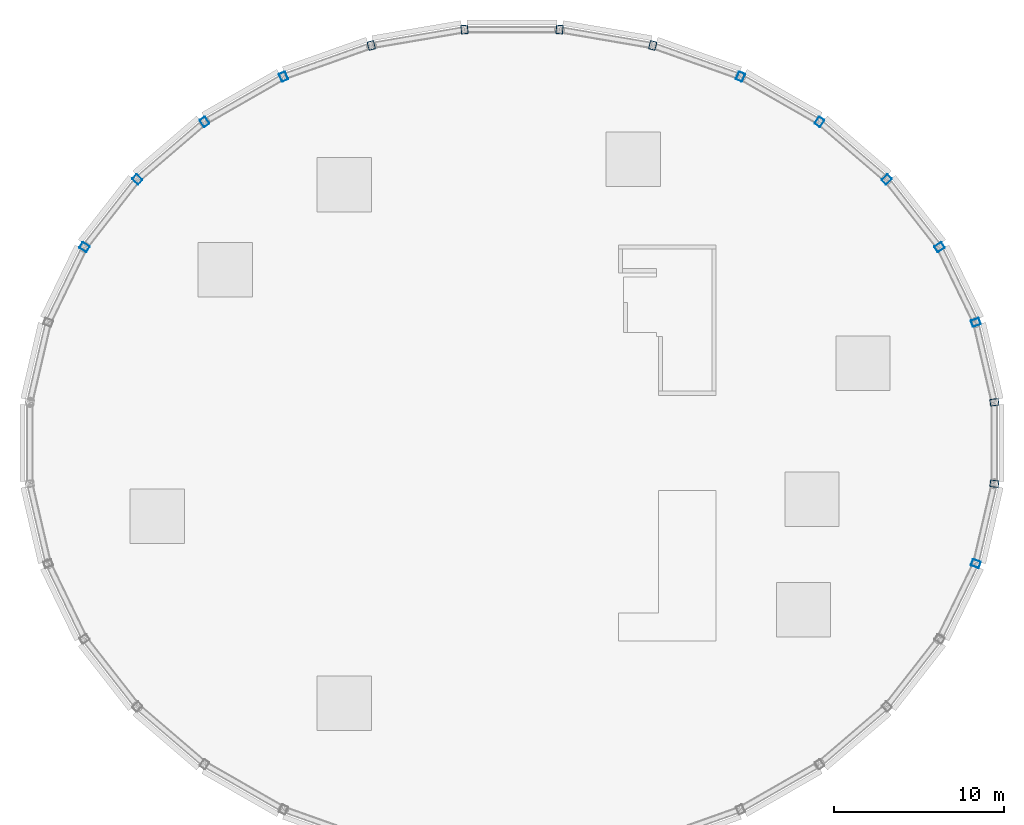
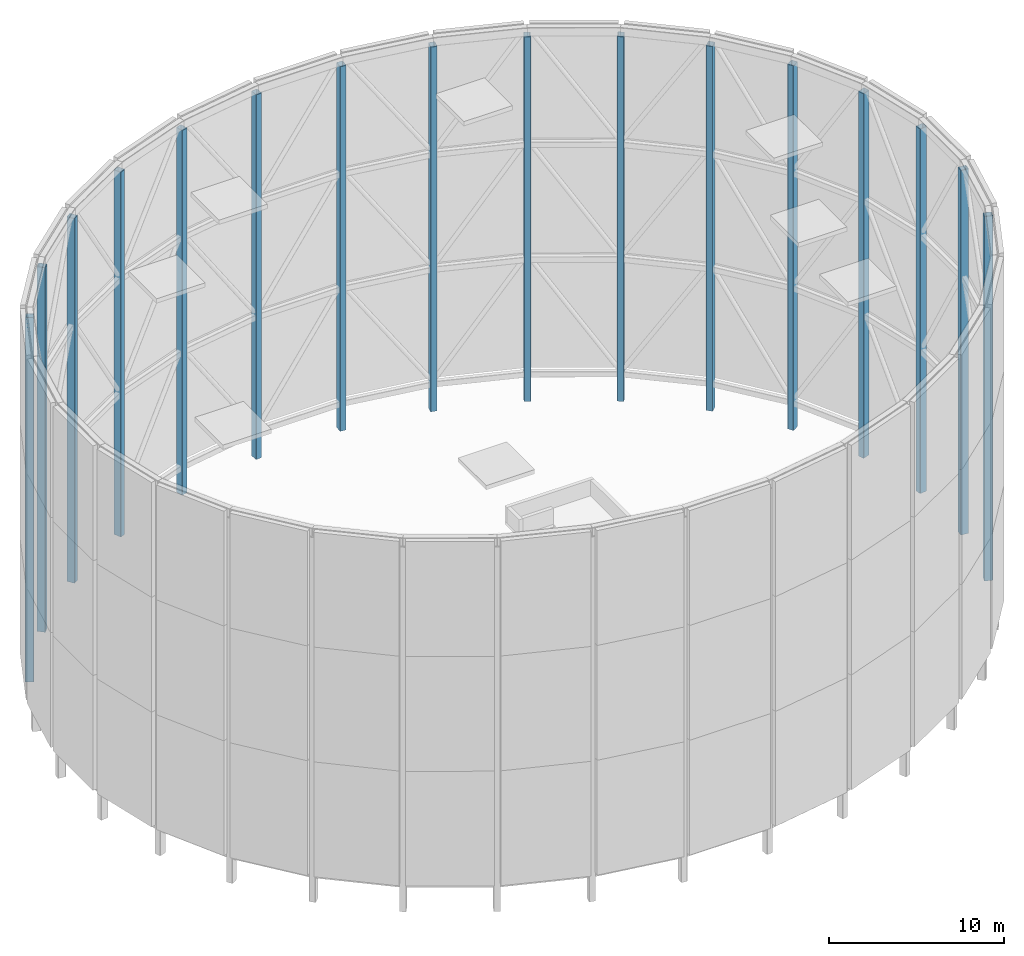
# One storey, part 2 of 8: 16 columns.
"""IFC4 building model written with IfcOpenShell, lengths in metres."""

import ifcopenshell
import ifcopenshell.guid

model = None  # the IFC model being written
_history = None  # IfcOwnerHistory: only IFC2X3 demands one
_inside = {}  # id of a spatial element -> (the spatial element, [elements in it])
_under = {}  # id of a project, library or spatial element -> (it, [spatial elements below it])
_declared = {}  # id of a project -> (the project, [libraries it declares])
_typed = {}  # id of a type object -> (the type object, [elements of that type])
_made_of = {}  # id of a material, layer set ... -> (it, [elements and type objects made of it])


def new_model(schema):
    """Start an empty IFC model of exactly this schema.

    Asked for "IFC4X3", IfcOpenShell would pick the latest addendum, in which some entities
    have other attributes; the version numbers below select the first issue.
    IFC2X3 requires an IfcOwnerHistory on every rooted entity: one is made here for all.
    """
    global model, _history
    if schema == "IFC4X3":
        model = ifcopenshell.file(schema_version=(4, 3, 0, 0))
    else:
        model = ifcopenshell.file(schema=schema)
    _inside.clear()
    _under.clear()
    _declared.clear()
    _typed.clear()
    _made_of.clear()
    _history = None
    if model.schema == "IFC2X3":
        org = make("IfcOrganization", Name="unknown")
        user = make(
            "IfcPersonAndOrganization",
            ThePerson=make("IfcPerson", FamilyName="unknown"),
            TheOrganization=org,
        )
        app = make(
            "IfcApplication",
            ApplicationDeveloper=org,
            Version="unknown",
            ApplicationFullName="unknown",
            ApplicationIdentifier="unknown",
        )
        _history = make(
            "IfcOwnerHistory",
            OwningUser=user,
            OwningApplication=app,
            ChangeAction="ADDED",
            CreationDate=0,
        )
    return model


def make(cls, **values):
    """One entity of the class cls with the attributes given. An attribute that is None is left unset."""
    return model.create_entity(
        cls, **{name: value for name, value in values.items() if value is not None}
    )


def rooted(cls, **values):
    """An entity with a GlobalId (a new one), such as an element, a storey or a relation."""
    return make(cls, GlobalId=ifcopenshell.guid.new(), OwnerHistory=_history, **values)


def si_unit(unit_type, name, prefix=None):
    """IfcSIUnit, for example si_unit("LENGTHUNIT", "METRE", prefix="MILLI")."""
    return make("IfcSIUnit", UnitType=unit_type, Prefix=prefix, Name=name)


def assignment(units):
    """IfcUnitAssignment: the units of a project."""
    return None if units is None else make("IfcUnitAssignment", Units=units)


def point(xyz):
    """IfcCartesianPoint."""
    return None if xyz is None else make("IfcCartesianPoint", Coordinates=xyz)


def direction(xyz):
    """IfcDirection."""
    return None if xyz is None else make("IfcDirection", DirectionRatios=xyz)


def frame(location, z_axis=None, x_axis=None):
    """IfcAxis2Placement3D, a coordinate frame: its origin and axes. An axis left out is left unset."""
    return make(
        "IfcAxis2Placement3D",
        Location=point(location),
        Axis=direction(z_axis),
        RefDirection=direction(x_axis),
    )


def frame_2d(location, x_axis=None):
    """IfcAxis2Placement2D, a coordinate frame in the plane: its origin and x axis."""
    return make(
        "IfcAxis2Placement2D", Location=point(location), RefDirection=direction(x_axis)
    )


def origin():
    """The frame at (0, 0, 0) with its axes left unset."""
    return frame((0.0, 0.0, 0.0))


def origin_2d():
    """The frame at (0, 0) in the plane with its x axis left unset."""
    return frame_2d((0.0, 0.0))


def place(relative_to, where):
    """IfcLocalPlacement: puts the frame where relative to a parent placement (None: the world)."""
    return make(
        "IfcLocalPlacement", PlacementRelTo=relative_to, RelativePlacement=where
    )


def context(
    kind, dimensions, precision=None, world=None, true_north=None, identifier=None
):
    """IfcGeometricRepresentationContext, for example the 3D "Model" context."""
    return make(
        "IfcGeometricRepresentationContext",
        ContextIdentifier=identifier,
        ContextType=kind,
        CoordinateSpaceDimension=dimensions,
        Precision=precision,
        WorldCoordinateSystem=world,
        TrueNorth=true_north,
    )


def subcontext(parent, identifier, kind, view, scale=None):
    """IfcGeometricRepresentationSubContext, for example "Body" below "Model"."""
    return make(
        "IfcGeometricRepresentationSubContext",
        ContextIdentifier=identifier,
        ContextType=kind,
        ParentContext=parent,
        TargetScale=scale,
        TargetView=view,
    )


def project(units=None, contexts=None):
    """IfcProject with its units and contexts."""
    return rooted(
        "IfcProject",
        Name="project",
        RepresentationContexts=contexts,
        UnitsInContext=assignment(units),
    )


def spatial(cls, under=None, at=None, **own):
    """A site, building, storey or space (cls), placed at a placement, below another one or the project."""
    s = rooted(cls, ObjectPlacement=at, **own)
    if under is not None:
        _under.setdefault(under.id(), (under, []))[1].append(s)
    return s


def profile(cls, at=None, kind="AREA", **sizes):
    """A parametric profile (cls). Its sizes go by their IFC names, for example OverallWidth=200.0."""
    return make(cls, ProfileType=kind, Position=at, **sizes)


def hollow_rectangle(**sizes):
    """IfcRectangleHollowProfileDef."""
    return profile("IfcRectangleHollowProfileDef", **sizes)


def extrude(swept, where, along, depth):
    """IfcExtrudedAreaSolid: the profile swept, set in the frame where, extruded along a direction by depth."""
    return make(
        "IfcExtrudedAreaSolid",
        SweptArea=swept,
        Position=where,
        ExtrudedDirection=direction(along),
        Depth=depth,
    )


def shape(context_of_items, identifier, shape_type, items):
    """IfcShapeRepresentation: the items that make up one representation, for example the "Body"."""
    return make(
        "IfcShapeRepresentation",
        ContextOfItems=context_of_items,
        RepresentationIdentifier=identifier,
        RepresentationType=shape_type,
        Items=items,
    )


def material(Name=None, Category=None):
    """IfcMaterial."""
    return make("IfcMaterial", Name=Name, Category=Category)


def material_profile(
    of_material, cross_section, Name=None, Category=None, Priority=None
):
    """IfcMaterialProfile: a cross section and its material."""
    return make(
        "IfcMaterialProfile",
        Name=Name,
        Material=of_material,
        Profile=cross_section,
        Priority=Priority,
        Category=Category,
    )


def profile_set(profiles, Name=None, composite=None):
    """IfcMaterialProfileSet."""
    return make(
        "IfcMaterialProfileSet",
        Name=Name,
        MaterialProfiles=profiles,
        CompositeProfile=composite,
    )


def made_of(thing, what):
    """Note that an element or type object is made of a material, layer set ...; save() writes the relation."""
    if what is not None:
        _made_of.setdefault(what.id(), (what, []))[1].append(thing)
    return thing


def type_object(cls, material=None, **own):
    """A type object (cls), such as IfcWallType, which elements share."""
    return made_of(rooted(cls, **own), material)


def element(
    cls,
    number,
    at=None,
    inside=None,
    cuts=None,
    type_object=None,
    material=None,
    context=None,
    identifier="Body",
    shape_type=None,
    held_by="IfcProductDefinitionShape",
    body=None,
    shapes=None,
    **own,
):
    """One element of the class cls, such as IfcWall. Its Tag is "e" and its number.

    at: its placement. inside: the storey or other place that contains it. cuts: it is an
    opening in that element (IfcRelVoidsElement). A single representation is given by context,
    identifier, shape_type and body (its items); several are given by shapes. held_by: the class
    of the entity that holds the representations. save() writes the other relations.
    """
    e = rooted(cls, Tag="e%d" % number, ObjectPlacement=at, **own)
    if body is not None:
        shapes = [shape(context, identifier, shape_type, body)]
    if shapes is not None:
        e.Representation = make(held_by, Representations=shapes)
    if inside is not None:
        _inside.setdefault(inside.id(), (inside, []))[1].append(e)
    if cuts is not None:
        rooted(
            "IfcRelVoidsElement", RelatingBuildingElement=cuts, RelatedOpeningElement=e
        )
    if type_object is not None:
        _typed.setdefault(type_object.id(), (type_object, []))[1].append(e)
    return made_of(e, material)


def aggregate(whole, parts):
    """IfcRelAggregates: a whole, such as a stair, and the parts it consists of."""
    return rooted("IfcRelAggregates", RelatingObject=whole, RelatedObjects=parts)


def save(model, path):
    """Write the relations noted so far, then the file.

    IfcRelAggregates (storeys below a building ...), IfcRelContainedInSpatialStructure (elements
    in a storey), IfcRelDefinesByType, IfcRelAssociatesMaterial and IfcRelDeclares: one each for
    every whole, place, type object, material and project.
    """
    for whole, parts in _under.values():
        aggregate(whole, parts)
    for where, things in _inside.values():
        rooted(
            "IfcRelContainedInSpatialStructure",
            RelatedElements=things,
            RelatingStructure=where,
        )
    for kind, things in _typed.values():
        rooted("IfcRelDefinesByType", RelatedObjects=things, RelatingType=kind)
    for what, things in _made_of.values():
        rooted("IfcRelAssociatesMaterial", RelatedObjects=things, RelatingMaterial=what)
    for by, libraries in _declared.values():
        rooted("IfcRelDeclares", RelatingContext=by, RelatedDefinitions=libraries)
    model.write(path)


model = new_model("IFC4")

# Units and contexts
model_context = context("Model", 3, precision=1e-05, world=origin(), true_north=direction((0.0, 1.0)))
body_context = subcontext(model_context, "Body", "Model", "MODEL_VIEW")
ifc_project = project(units=[si_unit("LENGTHUNIT", "METRE"), si_unit("AREAUNIT", "SQUARE_METRE"), si_unit("VOLUMEUNIT", "CUBIC_METRE"), si_unit("PLANEANGLEUNIT", "RADIAN"), si_unit("MASSUNIT", "GRAM", prefix="KILO")], contexts=[model_context])

# Site, building, storey
site_placement = place(None, origin())
site = spatial("IfcSite", under=ifc_project, at=site_placement, CompositionType="ELEMENT")
building_placement = place(site_placement, origin())
building = spatial("IfcBuilding", under=site, at=building_placement, Name="Halqa Exchange Tower", CompositionType="ELEMENT")
storey_placement = place(building_placement, frame((0.0, 0.0, 355.300048828125)))
storey = spatial("IfcBuildingStorey", under=building, at=storey_placement, Name="Roof level crown frame", CompositionType="ELEMENT", Elevation=355.300048828125)

# Columns
ifc_material = material(Name="Steel S355", Category="steel")
ifc_material_profile = material_profile(ifc_material, hollow_rectangle(XDim=0.39990234375, YDim=0.5, WallThickness=0.02001953125, InnerFilletRadius=0.030029296875, OuterFilletRadius=0.0400390625, at=origin_2d()), Name="RHS 500x400x20")
ifc_profile_set = profile_set([ifc_material_profile], Name="Steel S355")
column_type = type_object("IfcColumnType", Name="CROWN FRAME column RHS 500x400x20", PredefinedType="COLUMN", material=ifc_profile_set)
for number, where, z_axis, x_axis, name in (
    (1, (28.36279296875, 2.394287109375, 0.0), (0.0, 0.0, 1.0), (-0.114160389816, 0.993462332148, 0.0), "Crown frame column 1"),
    (2, (27.272705078125, 7.09130859375, 0.0), (0.0, 0.0, 1.0), (-0.333624233576, 0.942706142321, 0.0), "Crown frame column 2"),
    (3, (25.134765625, 11.515625, 0.0), (0.0, 0.0, 1.0), (-0.529140496257, 0.848534227489, 0.0), "Crown frame column 3"),
    (4, (22.03076171875, 15.497314453125, 0.0), (0.0, 0.0, 1.0), (-0.691578612608, 0.722301199351, 0.0), "Crown frame column 4"),
    (5, (18.080078125, 18.883544921875, 0.0), (0.0, 0.0, 1.0), (-0.817906779671, 0.575350762377, 0.0), "Crown frame column 5"),
    (6, (13.434814453125, 21.544189453125, 0.0), (0.0, 0.0, 1.0), (-0.909128549752, 0.416515641994, 0.0), "Crown frame column 6"),
    (7, (8.273193359375, 23.376708984375, 0.0), (0.0, 0.0, 1.0), (-0.967819064366, 0.251647091481, 0.0), "Crown frame column 7"),
    (8, (2.79345703125, 24.31103515625, 0.0), (0.0, 0.0, 1.0), (-0.996455078514, 0.084126550533, 0.0), "Crown frame column 8"),
    (9, (-2.79345703125, 24.31103515625, 0.0), (0.0, 0.0, 1.0), (-0.996455078514, -0.084126550533, 0.0), "Crown frame column 9"),
    (10, (-8.273193359375, 23.376708984375, 0.0), (0.0, 0.0, 1.0), (-0.967819064366, -0.251647091481, 0.0), "Crown frame column 10"),
    (11, (-13.434814453125, 21.544189453125, 0.0), (0.0, 0.0, 1.0), (-0.909128549752, -0.416515641994, 0.0), "Crown frame column 11"),
    (12, (-18.080078125, 18.883544921875, 0.0), (0.0, 0.0, 1.0), (-0.817906779671, -0.575350762377, 0.0), "Crown frame column 12"),
    (13, (-22.03076171875, 15.497314453125, 0.0), (0.0, 0.0, 1.0), (-0.691578612608, -0.722301199351, 0.0), "Crown frame column 13"),
    (14, (-25.134765625, 11.515625, 0.0), (0.0, 0.0, 1.0), (-0.529140496257, -0.848534227489, 0.0), "Crown frame column 14"),
    (15, (27.272705078125, -7.09130859375, 0.0), (0.0, 0.0, 1.0), (0.333624233576, 0.942706142321, 0.0), "Crown frame column 31"),
    (16, (28.36279296875, -2.394287109375, 0.0), (0.0, 0.0, 1.0), (0.114160389816, 0.993462332148, 0.0), "Crown frame column 32"),
):
    element("IfcColumn", number, at=place(storey_placement, frame(where, z_axis=z_axis, x_axis=x_axis)), inside=storey, type_object=column_type, Name=name, PredefinedType="COLUMN", context=body_context, shape_type="SweptSolid", body=[
        extrude(hollow_rectangle(XDim=0.39990234375, YDim=0.5, WallThickness=0.02001953125, InnerFilletRadius=0.030029296875, OuterFilletRadius=0.0400390625, at=origin_2d()), origin(), (0.0, 0.0, 1.0), 25.39990234375),
    ])

save(model, "model.ifc")
